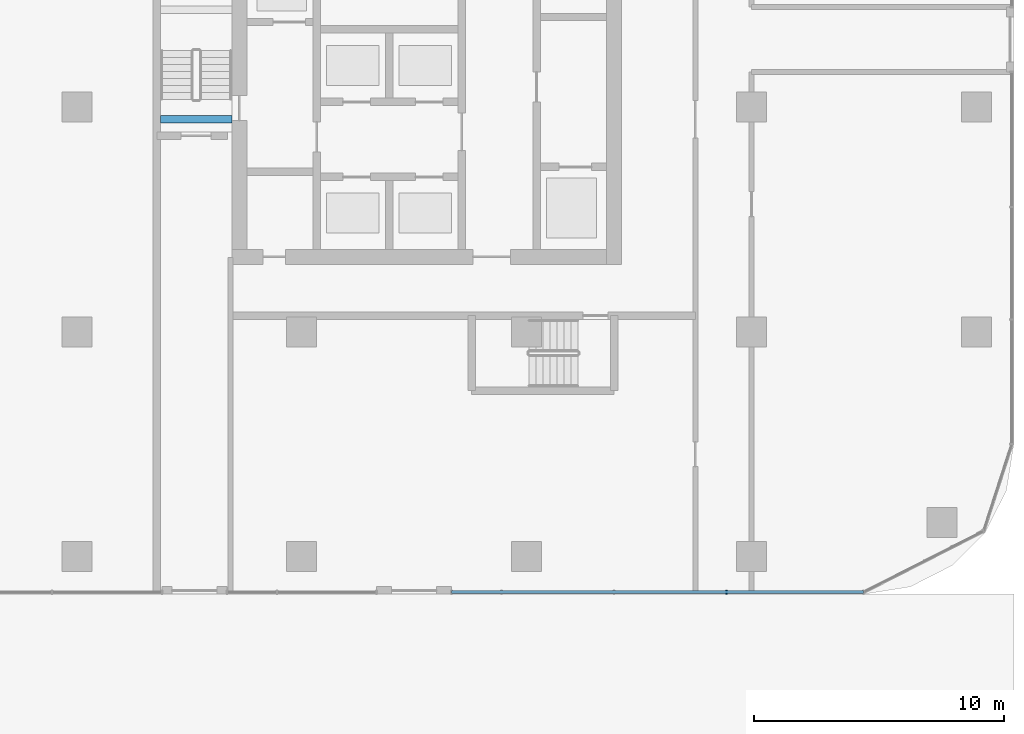
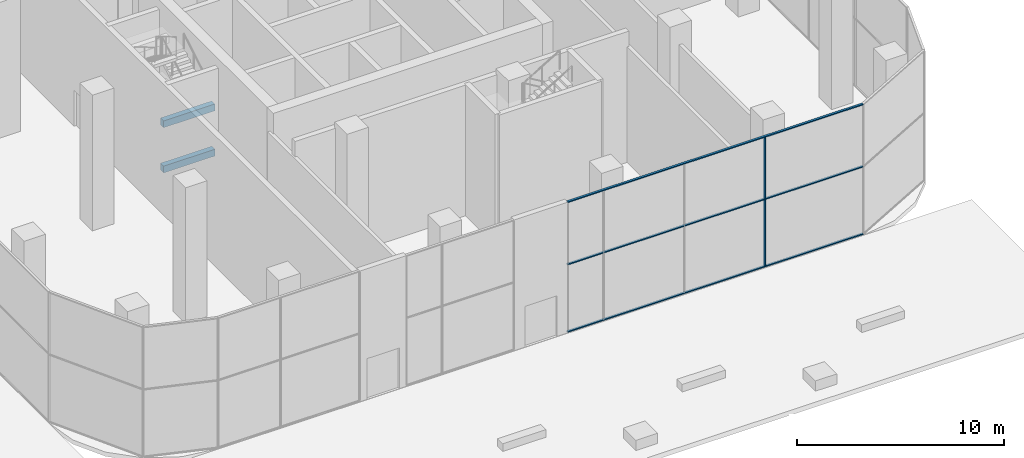
# One storey, part 13 of 54: 4 members, 2 beams, 1 element without a shape of its own.
"""IFC4 building model written with IfcOpenShell, lengths in metres."""

from ifc_helpers import new_model, si_unit, direction, frame, origin, origin_2d, place, context, subcontext, project, spatial, rectangle, extrude, material, material_profile, profile_set, type_object, element, aggregate, save


model = new_model("IFC4")

# Units and contexts
model_context = context("Model", 3, precision=1e-05, world=origin(), true_north=direction((0.0, 1.0)))
body_context = subcontext(model_context, "Body", "Model", "MODEL_VIEW")
ifc_project = project(units=[si_unit("LENGTHUNIT", "METRE"), si_unit("AREAUNIT", "SQUARE_METRE"), si_unit("VOLUMEUNIT", "CUBIC_METRE"), si_unit("PLANEANGLEUNIT", "RADIAN"), si_unit("MASSUNIT", "GRAM", prefix="KILO")], contexts=[model_context])

# Site, building, storey
site_placement = place(None, origin())
site = spatial("IfcSite", under=ifc_project, at=site_placement, CompositionType="ELEMENT")
building_placement = place(site_placement, origin())
building = spatial("IfcBuilding", under=site, at=building_placement, Name="Ogive Portal Towers", CompositionType="ELEMENT")
storey_placement = place(building_placement, origin())
storey = spatial("IfcBuildingStorey", under=building, at=storey_placement, Name="L00", CompositionType="ELEMENT", Elevation=0.0)

# Beams
ifc_material_1 = material(Name="Concrete C40/50", Category="concrete")
ifc_material_profile_1 = material_profile(ifc_material_1, rectangle(XDim=0.300048828125, YDim=0.39990234375, at=origin_2d()), Name="RC 300x400")
ifc_profile_set_1 = profile_set([ifc_material_profile_1], Name="Concrete C40/50")
beam_type = type_object("IfcBeamType", Name="BEAM RC 300x400", PredefinedType="BEAM", material=ifc_profile_set_1)
for number, where, z_axis, x_axis, name in (
    (1, (125.85009765625, 30.0, 2.2666015625), (1.0, 0.0, 0.0), (0.0, 1.0, 0.0), "Landing beam L00"),
    (2, (125.85009765625, 30.0, 4.933349609375), (1.0, 0.0, 0.0), (0.0, 1.0, 0.0), "Landing beam L00"),
):
    element("IfcBeam", number, at=place(storey_placement, frame(where, z_axis=z_axis, x_axis=x_axis)), inside=storey, type_object=beam_type, Name=name, PredefinedType="BEAM", context=body_context, shape_type="SweptSolid", body=[
        extrude(rectangle(XDim=0.300048828125, YDim=0.39990234375, at=origin_2d()), origin(), (0.0, 0.0, 1.0), 2.849853515625),
    ])

# Curtain wall, members
ifc_material_2 = material(Name="Glass, clear low-iron insulated glazing", Category="glass")
curtain_wall_type = type_object("IfcCurtainWallType", Name="CW PODIUM SHOPFRONT", PredefinedType="NOTDEFINED", material=ifc_material_2)
curtain_wall_placement = place(storey_placement, origin())
curtain_wall = element("IfcCurtainWall", 3, at=curtain_wall_placement, inside=storey, type_object=curtain_wall_type, Name="B:L00:f02:cw2", PredefinedType="NOTDEFINED")
ifc_material_3 = material(Name="Aluminium 6063 anodised", Category="aluminium")
ifc_material_profile_2 = material_profile(ifc_material_3, rectangle(XDim=0.159912109375, YDim=0.06005859375, at=origin_2d()), Name="AL 60x160")
ifc_profile_set_2 = profile_set([ifc_material_profile_2], Name="Aluminium 6063 anodised")
member_type_1 = type_object("IfcMemberType", Name="CW MULLION 60x160", PredefinedType="MULLION", material=ifc_profile_set_2)
member_1_placement = place(storey_placement, frame((148.5, 11.080078125, 0.06005859375), z_axis=(0.0, 0.0, 1.0), x_axis=(0.0, 1.0, 0.0)))
member_1 = element("IfcMember", 4, at=member_1_placement, type_object=member_type_1, Name="mullion", PredefinedType="MULLION", context=body_context, shape_type="SweptSolid", body=[
    extrude(rectangle(XDim=0.159912109375, YDim=0.06005859375, at=origin_2d()), origin(), (0.0, 0.0, 1.0), 7.579833984375),
])
ifc_material_profile_3 = material_profile(ifc_material_3, rectangle(XDim=0.1201171875, YDim=0.06005859375, at=origin_2d()), Name="AL 120x60")
ifc_profile_set_3 = profile_set([ifc_material_profile_3], Name="Aluminium 6063 anodised")
member_type_2 = type_object("IfcMemberType", Name="CW TRANSOM 60x120", PredefinedType="USERDEFINED", material=ifc_profile_set_3)
member_2_placement = place(storey_placement, frame((137.495361328125, 11.080078125, 0.030029296875), z_axis=(1.0, 0.0, 0.0), x_axis=(0.0, 1.0, 0.0)))
member_2 = element("IfcMember", 5, at=member_2_placement, type_object=member_type_2, Name="transom", ObjectType="TRANSOM", PredefinedType="USERDEFINED", context=body_context, shape_type="SweptSolid", body=[
    extrude(rectangle(XDim=0.1201171875, YDim=0.06005859375, at=origin_2d()), origin(), (0.0, 0.0, 1.0), 16.4853515625),
])
member_3_placement = place(storey_placement, frame((137.495361328125, 11.080078125, 4.0), z_axis=(1.0, 0.0, 0.0), x_axis=(0.0, 1.0, 0.0)))
member_3 = element("IfcMember", 6, at=member_3_placement, type_object=member_type_2, Name="transom", ObjectType="TRANSOM", PredefinedType="USERDEFINED", context=body_context, shape_type="SweptSolid", body=[
    extrude(rectangle(XDim=0.1201171875, YDim=0.06005859375, at=origin_2d()), origin(), (0.0, 0.0, 1.0), 16.4853515625),
])
member_4_placement = place(storey_placement, frame((137.495361328125, 11.080078125, 7.669921875), z_axis=(1.0, 0.0, 0.0), x_axis=(0.0, 1.0, 0.0)))
member_4 = element("IfcMember", 7, at=member_4_placement, type_object=member_type_2, Name="transom", ObjectType="TRANSOM", PredefinedType="USERDEFINED", context=body_context, shape_type="SweptSolid", body=[
    extrude(rectangle(XDim=0.1201171875, YDim=0.06005859375, at=origin_2d()), origin(), (0.0, 0.0, 1.0), 16.4853515625),
])
aggregate(curtain_wall, [member_2, member_3, member_4, member_1])

save(model, "model.ifc")
